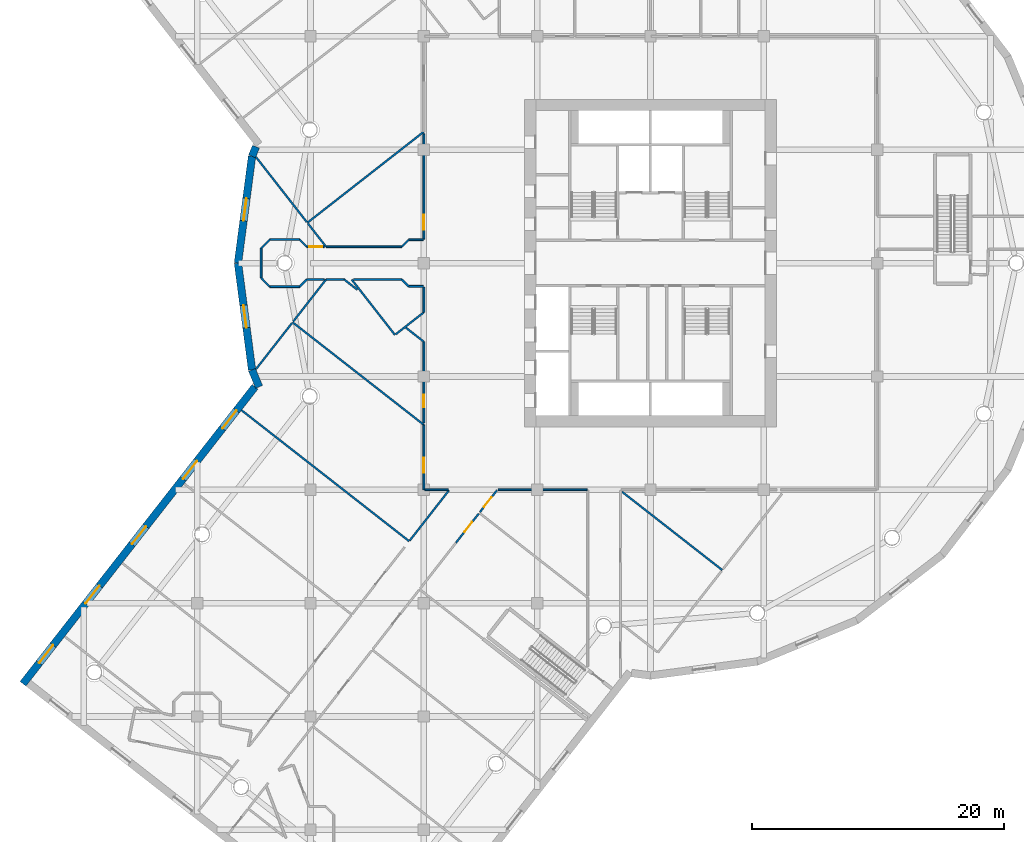
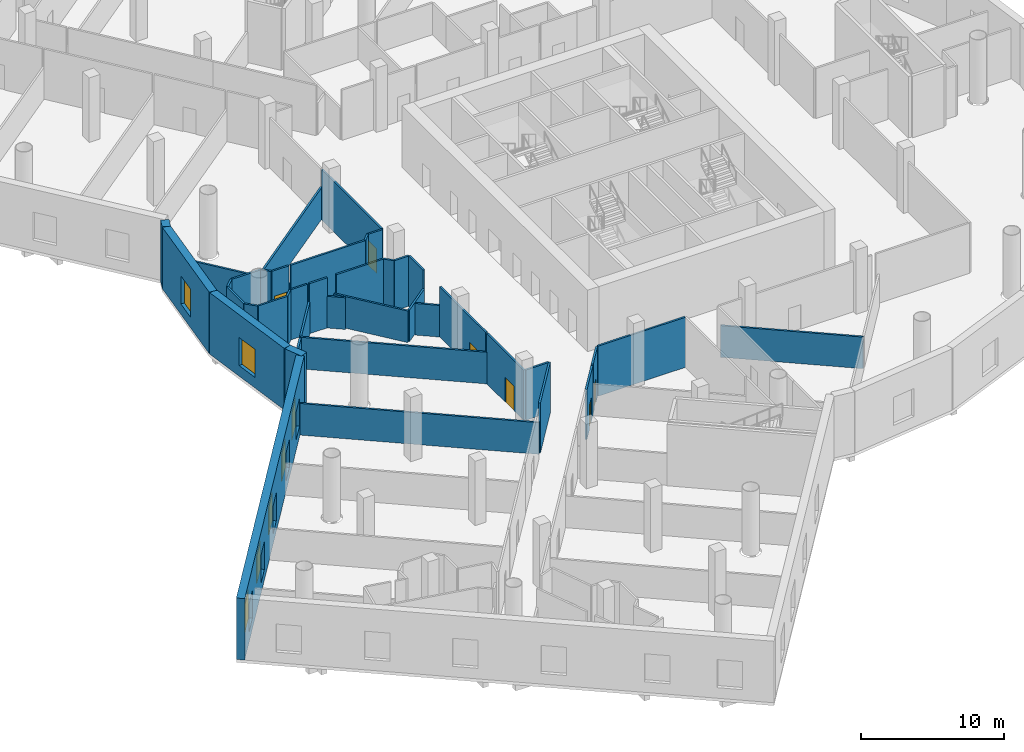
# One storey, part 6 of 23: 42 walls, 7 windows, 6 doors, 13 openings.
"""IFC4 building model written with IfcOpenShell, lengths in metres."""

from ifc_helpers import new_model, si_unit, direction, frame, frame_2d, origin, place, context, subcontext, project, spatial, rectangle, extrude, material, layer, layer_set, type_object, element, fill, save


model = new_model("IFC4")

# Units and contexts
model_context = context("Model", 3, precision=1e-05, world=origin(), true_north=direction((0.0, 1.0)))
body_context = subcontext(model_context, "Body", "Model", "MODEL_VIEW")
ifc_project = project(units=[si_unit("LENGTHUNIT", "METRE"), si_unit("AREAUNIT", "SQUARE_METRE"), si_unit("VOLUMEUNIT", "CUBIC_METRE"), si_unit("PLANEANGLEUNIT", "RADIAN"), si_unit("MASSUNIT", "GRAM", prefix="KILO")], contexts=[model_context])

# Site, building, storey
site_placement = place(None, origin())
site = spatial("IfcSite", under=ifc_project, at=site_placement, CompositionType="ELEMENT")
building_placement = place(site_placement, origin())
building = spatial("IfcBuilding", under=site, at=building_placement, Name="Tarsis Ring Headquarters", CompositionType="ELEMENT")
storey_placement = place(building_placement, frame((0.0, 0.0, 19.5)))
storey = spatial("IfcBuildingStorey", under=building, at=storey_placement, Name="L03", CompositionType="ELEMENT", Elevation=19.5)

# Walls
ifc_material_1 = material(Name="Plasterboard partition")
ifc_layer_1 = layer(ifc_material_1, 0.14990234375)
ifc_layer_set_1 = layer_set([ifc_layer_1], Name="PO-PW150")
wall_type_1 = type_object("IfcWallType", Name="PO-PW150", PredefinedType="PARTITIONING", material=ifc_layer_set_1)
wall_1_placement = place(storey_placement, frame((-32.476806640625, -11.681640625, 0.0), z_axis=(0.0, 0.0, 1.0), x_axis=(0.788007728406, -0.615665347386, 0.0)))
element("IfcWall", 1, at=wall_1_placement, inside=storey, type_object=wall_type_1, Name="L03 partition wall 4", PredefinedType="PARTITIONING", context=body_context, shape_type="SweptSolid", body=[
    extrude(rectangle(XDim=16.900146484375, YDim=0.14990234375, at=frame_2d((8.4501953125, 0.0))), origin(), (0.0, 0.0, 1.0), 2.699951171875),
])
wall_2_placement = place(storey_placement, frame((-18.0, -12.840087890625, 0.0), z_axis=(0.0, 0.0, 1.0), x_axis=(-0.78800897563, 0.615663751025, 0.0)))
element("IfcWall", 2, at=wall_2_placement, inside=storey, type_object=wall_type_1, Name="L03 partition wall 13", PredefinedType="PARTITIONING", context=body_context, shape_type="SweptSolid", body=[
    extrude(rectangle(XDim=13.220947265625, YDim=0.14990234375, at=frame_2d((6.6103515625, 0.0))), origin(), (0.0, 0.0, 1.0), 2.699951171875),
])
wall_3_placement = place(storey_placement, frame((-18.0, 10.428955078125, 0.0), z_axis=(0.0, 0.0, 1.0), x_axis=(-0.788007343587, -0.615665839927, 0.0)))
element("IfcWall", 3, at=wall_3_placement, inside=storey, type_object=wall_type_1, Name="L03 partition wall 15", PredefinedType="PARTITIONING", context=body_context, shape_type="SweptSolid", body=[
    extrude(rectangle(XDim=11.736572265625, YDim=0.14990234375, at=frame_2d((5.8681640625, 0.0))), origin(), (0.0, 0.0, 1.0), 2.699951171875),
])
wall_4_placement = place(storey_placement, frame((-2.253662109375, -18.162841796875, 0.0), z_axis=(0.0, 0.0, 1.0), x_axis=(0.788014106219, -0.615657184153, 0.0)))
element("IfcWall", 4, at=wall_4_placement, inside=storey, type_object=wall_type_1, Name="L03 partition wall 29", PredefinedType="PARTITIONING", context=body_context, shape_type="SweptSolid", body=[
    extrude(rectangle(XDim=10.09375, YDim=0.14990234375, at=frame_2d((5.046875, 0.0))), origin(), (0.0, 0.0, 1.0), 2.699951171875),
])
wall_5_placement = place(storey_placement, frame((-31.335205078125, 8.43408203125, 0.0), z_axis=(0.0, 0.0, 1.0), x_axis=(0.615673661245, -0.788001232771, 0.0)))
element("IfcWall", 5, at=wall_5_placement, inside=storey, type_object=wall_type_1, Name="L03 partition wall 51", PredefinedType="PARTITIONING", context=body_context, shape_type="SweptSolid", body=[
    extrude(rectangle(XDim=6.55810546875, YDim=0.14990234375, at=frame_2d((3.279052734375, 0.0))), origin(), (0.0, 0.0, 1.0), 2.699951171875),
])
wall_6_placement = place(storey_placement, frame((-23.730224609375, -1.300048828125, 0.0), z_axis=(0.0, 0.0, 1.0), x_axis=(0.615661006449, -0.788011119933, 0.0)))
element("IfcWall", 6, at=wall_6_placement, inside=storey, type_object=wall_type_1, Name="L03 partition wall 63", PredefinedType="PARTITIONING", context=body_context, shape_type="SweptSolid", body=[
    extrude(rectangle(XDim=5.58544921875, YDim=0.14990234375, at=frame_2d((2.792724609375, 0.0))), origin(), (0.0, 0.0, 1.0), 2.699951171875),
])
wall_7_placement = place(storey_placement, frame((-28.467529296875, -4.763427734375, 0.0), z_axis=(0.0, 0.0, 1.0), x_axis=(-0.615640990645, -0.788026757564, 0.0)))
element("IfcWall", 7, at=wall_7_placement, inside=storey, type_object=wall_type_1, Name="L03 partition wall 73", PredefinedType="PARTITIONING", context=body_context, shape_type="SweptSolid", body=[
    extrude(rectangle(XDim=4.657958984375, YDim=0.14990234375, at=frame_2d((2.3291015625, 0.0))), origin(), (0.0, 0.0, 1.0), 2.699951171875),
])
wall_8_placement = place(storey_placement, frame((-25.761474609375, -1.300048828125, 0.0), z_axis=(0.0, 0.0, 1.0), x_axis=(-0.615655228447, -0.788015634164, 0.0)))
element("IfcWall", 8, at=wall_8_placement, inside=storey, type_object=wall_type_1, Name="L03 partition wall 82", PredefinedType="PARTITIONING", context=body_context, shape_type="SweptSolid", body=[
    extrude(rectangle(XDim=4.235107421875, YDim=0.14990234375, at=frame_2d((2.11767578125, 0.0))), origin(), (0.0, 0.0, 1.0), 2.699951171875),
])
wall_9_placement = place(storey_placement, frame((-20.228515625, -5.652099609375, 0.0), z_axis=(0.0, 0.0, 1.0), x_axis=(0.787992962022, 0.615684246838, 0.0)))
element("IfcWall", 9, at=wall_9_placement, inside=storey, type_object=wall_type_1, Name="L03 partition wall 99", PredefinedType="PARTITIONING", context=body_context, shape_type="SweptSolid", body=[
    extrude(rectangle(XDim=2.828125, YDim=0.14990234375, at=frame_2d((1.4140625, 0.0))), origin(), (0.0, 0.0, 1.0), 2.699951171875),
])
wall_10_placement = place(storey_placement, frame((-27.19921875, 3.14013671875, 0.0), z_axis=(0.0, 0.0, 1.0), x_axis=(0.615690704489, -0.787987916409, 0.0)))
element("IfcWall", 10, at=wall_10_placement, inside=storey, type_object=wall_type_1, Name="L03 partition wall 115", PredefinedType="PARTITIONING", context=body_context, shape_type="SweptSolid", body=[
    extrude(rectangle(XDim=2.335205078125, YDim=0.14990234375, at=frame_2d((1.16748046875, 0.0))), origin(), (0.0, 0.0, 1.0), 2.699951171875),
])
wall_11_placement = place(storey_placement, frame((-23.278564453125, -2.1171875, 0.0), z_axis=(0.0, 0.0, 1.0), x_axis=(-0.788013218754, 0.615658320068, 0.0)))
element("IfcWall", 11, at=wall_11_placement, inside=storey, type_object=wall_type_1, Name="L03 partition wall 134", PredefinedType="PARTITIONING", context=body_context, shape_type="SweptSolid", body=[
    extrude(rectangle(XDim=1.3271484375, YDim=0.14990234375, at=frame_2d((0.66357421875, 0.0))), origin(), (0.0, 0.0, 1.0), 2.699951171875),
])
wall_12_placement = place(storey_placement, frame((-18.0, -6.2412109375, 0.0), z_axis=(0.0, 0.0, 1.0), x_axis=(-0.788014037182, 0.615657272517, 0.0)))
element("IfcWall", 12, at=wall_12_placement, inside=storey, type_object=wall_type_1, Name="L03 partition wall 135", PredefinedType="PARTITIONING", context=body_context, shape_type="SweptSolid", body=[
    extrude(rectangle(XDim=1.79052734375, YDim=0.14990234375, at=frame_2d((0.895263671875, 0.0))), origin(), (0.0, 0.0, 1.0), 2.699951171875),
])

# Wall, opening, door
ifc_layer_2 = layer(ifc_material_1, 0.14990234375)
ifc_layer_set_2 = layer_set([ifc_layer_2], Name="PO-PW150R-4283")
wall_type_2 = type_object("IfcWallType", Name="PO-PW150R-4283", PredefinedType="PARTITIONING", material=ifc_layer_set_2)
wall_13_placement = place(storey_placement, frame((-18.0, 1.909912109375, 0.0), z_axis=(0.0, 0.0, 1.0), x_axis=(0.0, 1.0, 0.0)))
wall_13 = element("IfcWall", 13, at=wall_13_placement, inside=storey, type_object=wall_type_2, Name="L03 partition wall 35", PredefinedType="PARTITIONING", context=body_context, shape_type="SweptSolid", body=[
    extrude(rectangle(XDim=8.35888671875, YDim=0.14990234375, at=frame_2d((4.179443359375, 0.0))), origin(), (0.0, 0.0, 1.0), 4.282958984375),
])
opening_1_placement = place(wall_13_placement, frame((0.7275390625, 0.0, 0.0)))
opening_1 = element("IfcOpeningElement", 14, at=opening_1_placement, cuts=wall_13, Name="Opening PO-D2", PredefinedType="OPENING", context=body_context, shape_type="SweptSolid", body=[
    extrude(rectangle(XDim=1.199951171875, YDim=2.10009765625, at=frame_2d((0.60009765625, 1.050048828125))), frame((0.0, 0.0849609375, 0.0), z_axis=(0.0, -1.0, 0.0), x_axis=(1.0, 0.0, 0.0)), (0.0, 0.0, 1.0), 0.169921875),
])
ifc_material_2 = material(Name="Timber door", Category="wood")
door_type_1 = type_object("IfcDoorType", Name="PO-D1200", OperationType="NOTDEFINED", PredefinedType="DOOR", material=ifc_material_2)
door_1_placement = place(opening_1_placement, origin())
door_1 = element("IfcDoor", 15, at=door_1_placement, inside=storey, type_object=door_type_1, Name="Heritage gallery door", OperationType="SINGLE_SWING_RIGHT", OverallHeight=2.10009765625, OverallWidth=1.199951171875, PredefinedType="DOOR", context=body_context, shape_type="SweptSolid", body=[
    extrude(rectangle(XDim=1.199951171875, YDim=2.10009765625, at=frame_2d((0.60009765625, 1.050048828125))), frame((0.0, 0.02490234375, 0.0), z_axis=(0.0, -1.0, 0.0), x_axis=(1.0, 0.0, 0.0)), (0.0, 0.0, 1.0), 0.050048828125),
])
fill(opening_1, door_1)

# Wall
wall_14_placement = place(storey_placement, frame((-5.039794921875, -18.0, 0.0), z_axis=(0.0, 0.0, 1.0), x_axis=(-1.0, 0.0, 0.0)))
element("IfcWall", 16, at=wall_14_placement, inside=storey, type_object=wall_type_2, Name="L03 partition wall 48", PredefinedType="PARTITIONING", context=body_context, shape_type="SweptSolid", body=[
    extrude(rectangle(XDim=7.059814453125, YDim=0.14990234375, at=frame_2d((3.52978515625, 0.0))), origin(), (0.0, 0.0, 1.0), 4.282958984375),
])

# Wall, opening, door
wall_15_placement = place(storey_placement, frame((-18.0, -12.679931640625, 0.0), z_axis=(0.0, 0.0, 1.0), x_axis=(0.0, 1.0, 0.0)))
wall_15 = element("IfcWall", 17, at=wall_15_placement, inside=storey, type_object=wall_type_2, Name="L03 partition wall 52", PredefinedType="PARTITIONING", context=body_context, shape_type="SweptSolid", body=[
    extrude(rectangle(XDim=6.438720703125, YDim=0.14990234375, at=frame_2d((3.21923828125, 0.0))), origin(), (0.0, 0.0, 1.0), 4.282958984375),
])
opening_2_placement = place(wall_15_placement, frame((1.238525390625, 0.0, 0.0)))
opening_2 = element("IfcOpeningElement", 18, at=opening_2_placement, cuts=wall_15, Name="Opening PO-D1", PredefinedType="OPENING", context=body_context, shape_type="SweptSolid", body=[
    extrude(rectangle(XDim=1.0, YDim=2.10009765625, at=frame_2d((0.5, 1.050048828125))), frame((0.0, 0.0849609375, 0.0), z_axis=(0.0, -1.0, 0.0), x_axis=(1.0, 0.0, 0.0)), (0.0, 0.0, 1.0), 0.169921875),
])
door_type_2 = type_object("IfcDoorType", Name="PO-D1000", OperationType="NOTDEFINED", PredefinedType="DOOR", material=ifc_material_2)
door_2_placement = place(opening_2_placement, origin())
door_2 = element("IfcDoor", 19, at=door_2_placement, inside=storey, type_object=door_type_2, Name="Pharmacy store door", OperationType="SINGLE_SWING_RIGHT", OverallHeight=2.10009765625, OverallWidth=1.0, PredefinedType="DOOR", context=body_context, shape_type="SweptSolid", body=[
    extrude(rectangle(XDim=1.0, YDim=2.10009765625, at=frame_2d((0.5, 1.050048828125))), frame((0.0, 0.02490234375, 0.0), z_axis=(0.0, -1.0, 0.0), x_axis=(1.0, 0.0, 0.0)), (0.0, 0.0, 1.0), 0.050048828125),
])
fill(opening_2, door_2)

# Wall
wall_16_placement = place(storey_placement, frame((-25.761474609375, 1.300048828125, 0.0), z_axis=(0.0, 0.0, 1.0), x_axis=(1.0, 0.0, 0.0)))
element("IfcWall", 20, at=wall_16_placement, inside=storey, type_object=wall_type_2, Name="L03 partition wall 57", PredefinedType="PARTITIONING", context=body_context, shape_type="SweptSolid", body=[
    extrude(rectangle(XDim=6.011474609375, YDim=0.14990234375, at=frame_2d((3.005859375, 0.0))), origin(), (0.0, 0.0, 1.0), 4.282958984375),
])

# Wall, opening, door
wall_17_placement = place(storey_placement, frame((-18.0, -18.0, 0.0), z_axis=(0.0, 0.0, 1.0), x_axis=(0.0, 1.0, 0.0)))
wall_17 = element("IfcWall", 21, at=wall_17_placement, inside=storey, type_object=wall_type_2, Name="L03 partition wall 69", PredefinedType="PARTITIONING", context=body_context, shape_type="SweptSolid", body=[
    extrude(rectangle(XDim=5.159912109375, YDim=0.14990234375, at=frame_2d((2.580078125, 0.0))), origin(), (0.0, 0.0, 1.0), 4.282958984375),
])
opening_3_placement = place(wall_17_placement, frame((1.350830078125, 0.0, 0.0)))
opening_3 = element("IfcOpeningElement", 22, at=opening_3_placement, cuts=wall_17, Name="Opening PO-D2", PredefinedType="OPENING", context=body_context, shape_type="SweptSolid", body=[
    extrude(rectangle(XDim=1.199951171875, YDim=2.10009765625, at=frame_2d((0.60009765625, 1.050048828125))), frame((0.0, 0.0849609375, 0.0), z_axis=(0.0, -1.0, 0.0), x_axis=(1.0, 0.0, 0.0)), (0.0, 0.0, 1.0), 0.169921875),
])
door_3_placement = place(opening_3_placement, origin())
door_3 = element("IfcDoor", 23, at=door_3_placement, inside=storey, type_object=door_type_1, Name="Staff clinic door", OperationType="SINGLE_SWING_LEFT", OverallHeight=2.10009765625, OverallWidth=1.199951171875, PredefinedType="DOOR", context=body_context, shape_type="SweptSolid", body=[
    extrude(rectangle(XDim=1.199951171875, YDim=2.10009765625, at=frame_2d((0.60009765625, 1.050048828125))), frame((0.0, 0.02490234375, 0.0), z_axis=(0.0, -1.0, 0.0), x_axis=(1.0, 0.0, 0.0)), (0.0, 0.0, 1.0), 0.050048828125),
])
fill(opening_3, door_3)

# Walls
wall_18_placement = place(storey_placement, frame((-19.110107421875, -22.0234375, 0.0), z_axis=(0.0, 0.0, 1.0), x_axis=(0.615677781266, 0.787998013738, 0.0)))
element("IfcWall", 24, at=wall_18_placement, inside=storey, type_object=wall_type_2, Name="L03 partition wall 70", PredefinedType="PARTITIONING", context=body_context, shape_type="SweptSolid", body=[
    extrude(rectangle(XDim=5.05517578125, YDim=0.14990234375, at=frame_2d((2.527587890625, 0.0))), origin(), (0.0, 0.0, 1.0), 4.282958984375),
])
wall_19_placement = place(storey_placement, frame((-19.75, -1.300048828125, 0.0), z_axis=(0.0, 0.0, 1.0), x_axis=(-1.0, 0.0, 0.0)))
element("IfcWall", 25, at=wall_19_placement, inside=storey, type_object=wall_type_2, Name="L03 partition wall 89", PredefinedType="PARTITIONING", context=body_context, shape_type="SweptSolid", body=[
    extrude(rectangle(XDim=3.820068359375, YDim=0.14990234375, at=frame_2d((1.91015625, 0.0))), origin(), (0.0, 0.0, 1.0), 4.282958984375),
])

# Wall, opening, door
wall_20_placement = place(storey_placement, frame((-13.64306640625, -19.898681640625, 0.0), z_axis=(0.0, 0.0, 1.0), x_axis=(-0.615642423579, -0.788025638092, 0.0)))
wall_20 = element("IfcWall", 26, at=wall_20_placement, inside=storey, type_object=wall_type_2, Name="L03 partition wall 95", PredefinedType="PARTITIONING", context=body_context, shape_type="SweptSolid", body=[
    extrude(rectangle(XDim=2.927490234375, YDim=0.14990234375, at=frame_2d((1.4638671875, 0.0))), origin(), (0.0, 0.0, 1.0), 4.282958984375),
])
opening_4_placement = place(wall_20_placement, frame((0.840087890625, 0.0, 0.0)))
opening_4 = element("IfcOpeningElement", 27, at=opening_4_placement, cuts=wall_20, Name="Opening PO-D1", PredefinedType="OPENING", context=body_context, shape_type="SweptSolid", body=[
    extrude(rectangle(XDim=1.0, YDim=2.10009765625, at=frame_2d((0.5, 1.050048828125))), frame((0.0, 0.0849609375, 0.0), z_axis=(0.0, -1.0, 0.0), x_axis=(1.0, 0.0, 0.0)), (0.0, 0.0, 1.0), 0.169921875),
])
door_4_placement = place(opening_4_placement, origin())
door_4 = element("IfcDoor", 28, at=door_4_placement, inside=storey, type_object=door_type_2, Name="Physiotherapy room door", OperationType="SINGLE_SWING_LEFT", OverallHeight=2.10009765625, OverallWidth=1.0, PredefinedType="DOOR", context=body_context, shape_type="SweptSolid", body=[
    extrude(rectangle(XDim=1.0, YDim=2.10009765625, at=frame_2d((0.5, 1.050048828125))), frame((0.0, 0.02490234375, 0.0), z_axis=(0.0, -1.0, 0.0), x_axis=(1.0, 0.0, 0.0)), (0.0, 0.0, 1.0), 0.050048828125),
])
fill(opening_4, door_4)

# Walls
for number, where, z_axis, x_axis, name in (
    (29, (-27.868408203125, -1.8701171875, 0.0), (0.0, 0.0, 1.0), (-1.0, 0.0, 0.0), "L03 partition wall 120"),
    (30, (-30.228515625, 1.8701171875, 0.0), (0.0, 0.0, 1.0), (1.0, 0.0, 0.0), "L03 partition wall 121"),
):
    element("IfcWall", number, at=place(storey_placement, frame(where, z_axis=z_axis, x_axis=x_axis)), inside=storey, type_object=wall_type_2, Name=name, PredefinedType="PARTITIONING", context=body_context, shape_type="SweptSolid", body=[
        extrude(rectangle(XDim=2.360107421875, YDim=0.14990234375, at=frame_2d((1.18017578125, 0.0))), origin(), (0.0, 0.0, 1.0), 4.282958984375),
    ])
wall_21_placement = place(storey_placement, frame((-30.91845703125, -1.179931640625, 0.0), z_axis=(0.0, 0.0, 1.0), x_axis=(0.0, 1.0, 0.0)))
element("IfcWall", 31, at=wall_21_placement, inside=storey, type_object=wall_type_2, Name="L03 partition wall 122", PredefinedType="PARTITIONING", context=body_context, shape_type="SweptSolid", body=[
    extrude(rectangle(XDim=2.35986328125, YDim=0.14990234375, at=frame_2d((1.179931640625, 0.0))), origin(), (0.0, 0.0, 1.0), 4.282958984375),
])

# Wall, opening, door
wall_22_placement = place(storey_placement, frame((-12.19091796875, -18.0400390625, 0.0), z_axis=(0.0, 0.0, 1.0), x_axis=(-0.615676361466, -0.787999123053, 0.0)))
wall_22 = element("IfcWall", 32, at=wall_22_placement, inside=storey, type_object=wall_type_2, Name="L03 partition wall 124", PredefinedType="PARTITIONING", context=body_context, shape_type="SweptSolid", body=[
    extrude(rectangle(XDim=2.19873046875, YDim=0.14990234375, at=frame_2d((1.099365234375, 0.0))), origin(), (0.0, 0.0, 1.0), 4.282958984375),
])
opening_5_placement = place(wall_22_placement, frame((0.69921875, 0.0, 0.0)))
opening_5 = element("IfcOpeningElement", 33, at=opening_5_placement, cuts=wall_22, Name="Opening PO-D1", PredefinedType="OPENING", context=body_context, shape_type="SweptSolid", body=[
    extrude(rectangle(XDim=1.0, YDim=2.10009765625, at=frame_2d((0.5, 1.050048828125))), frame((0.0, 0.0849609375, 0.0), z_axis=(0.0, -1.0, 0.0), x_axis=(1.0, 0.0, 0.0)), (0.0, 0.0, 1.0), 0.169921875),
])
door_5_placement = place(opening_5_placement, origin())
door_5 = element("IfcDoor", 34, at=door_5_placement, inside=storey, type_object=door_type_2, Name="Consulting room door", OperationType="SINGLE_SWING_LEFT", OverallHeight=2.10009765625, OverallWidth=1.0, PredefinedType="DOOR", context=body_context, shape_type="SweptSolid", body=[
    extrude(rectangle(XDim=1.0, YDim=2.10009765625, at=frame_2d((0.5, 1.050048828125))), frame((0.0, 0.02490234375, 0.0), z_axis=(0.0, -1.0, 0.0), x_axis=(1.0, 0.0, 0.0)), (0.0, 0.0, 1.0), 0.050048828125),
])
fill(opening_5, door_5)

# Walls
wall_23_placement = place(storey_placement, frame((-18.0, -3.910888671875, 0.0), z_axis=(0.0, 0.0, 1.0), x_axis=(0.0, 1.0, 0.0)))
element("IfcWall", 35, at=wall_23_placement, inside=storey, type_object=wall_type_2, Name="L03 partition wall 129", PredefinedType="PARTITIONING", context=body_context, shape_type="SweptSolid", body=[
    extrude(rectangle(XDim=2.0009765625, YDim=0.14990234375, at=frame_2d((1.00048828125, 0.0))), origin(), (0.0, 0.0, 1.0), 4.282958984375),
])
wall_24_placement = place(storey_placement, frame((-16.042724609375, -18.0, 0.0), z_axis=(0.0, 0.0, 1.0), x_axis=(-1.0, 0.0, 0.0)))
element("IfcWall", 36, at=wall_24_placement, inside=storey, type_object=wall_type_2, Name="L03 partition wall 133", PredefinedType="PARTITIONING", context=body_context, shape_type="SweptSolid", body=[
    extrude(rectangle(XDim=1.877197265625, YDim=0.14990234375, at=frame_2d((0.9384765625, 0.0))), origin(), (0.0, 0.0, 1.0), 4.282958984375),
])
wall_25_placement = place(storey_placement, frame((-25.9228515625, -1.300048828125, 0.0), z_axis=(0.0, 0.0, 1.0), x_axis=(-1.0, 0.0, 0.0)))
element("IfcWall", 37, at=wall_25_placement, inside=storey, type_object=wall_type_2, Name="L03 partition wall 142", PredefinedType="PARTITIONING", context=body_context, shape_type="SweptSolid", body=[
    extrude(rectangle(XDim=1.375732421875, YDim=0.14990234375, at=frame_2d((0.68798828125, 0.0))), origin(), (0.0, 0.0, 1.0), 4.282958984375),
])

# Wall, opening, door
wall_26_placement = place(storey_placement, frame((-27.298583984375, 1.300048828125, 0.0), z_axis=(0.0, 0.0, 1.0), x_axis=(1.0, 0.0, 0.0)))
wall_26 = element("IfcWall", 38, at=wall_26_placement, inside=storey, type_object=wall_type_2, Name="L03 partition wall 143", PredefinedType="PARTITIONING", context=body_context, shape_type="SweptSolid", body=[
    extrude(rectangle(XDim=1.375732421875, YDim=0.14990234375, at=frame_2d((0.68798828125, 0.0))), origin(), (0.0, 0.0, 1.0), 4.282958984375),
])
opening_6_placement = place(wall_26_placement, frame((0.218994140625, 0.0, 0.0)))
opening_6 = element("IfcOpeningElement", 39, at=opening_6_placement, cuts=wall_26, Name="Opening PO-D1", PredefinedType="OPENING", context=body_context, shape_type="SweptSolid", body=[
    extrude(rectangle(XDim=1.0, YDim=2.10009765625, at=frame_2d((0.5, 1.050048828125))), frame((0.0, 0.0849609375, 0.0), z_axis=(0.0, -1.0, 0.0), x_axis=(1.0, 0.0, 0.0)), (0.0, 0.0, 1.0), 0.169921875),
])
door_6_placement = place(opening_6_placement, origin())
door_6 = element("IfcDoor", 40, at=door_6_placement, inside=storey, type_object=door_type_2, Name="Project room door", OperationType="SINGLE_SWING_RIGHT", OverallHeight=2.10009765625, OverallWidth=1.0, PredefinedType="DOOR", context=body_context, shape_type="SweptSolid", body=[
    extrude(rectangle(XDim=1.0, YDim=2.10009765625, at=frame_2d((0.5, 1.050048828125))), frame((0.0, 0.02490234375, 0.0), z_axis=(0.0, -1.0, 0.0), x_axis=(1.0, 0.0, 0.0)), (0.0, 0.0, 1.0), 0.050048828125),
])
fill(opening_6, door_6)

# Walls
wall_27_placement = place(storey_placement, frame((-24.324462890625, -1.300048828125, 0.0), z_axis=(0.0, 0.0, 1.0), x_axis=(-1.0, 0.0, 0.0)))
element("IfcWall", 41, at=wall_27_placement, inside=storey, type_object=wall_type_2, Name="L03 partition wall 145", PredefinedType="PARTITIONING", context=body_context, shape_type="SweptSolid", body=[
    extrude(rectangle(XDim=1.43701171875, YDim=0.14990234375, at=frame_2d((0.718505859375, 0.0))), origin(), (0.0, 0.0, 1.0), 4.282958984375),
])
for number, where, z_axis, x_axis, name in (
    (42, (-19.199951171875, 1.85009765625, 0.0), (0.0, 0.0, 1.0), (1.0, 0.0, 0.0), "L03 partition wall 152"),
    (43, (-18.0400390625, -1.85009765625, 0.0), (0.0, 0.0, 1.0), (-1.0, 0.0, 0.0), "L03 partition wall 153"),
):
    element("IfcWall", number, at=place(storey_placement, frame(where, z_axis=z_axis, x_axis=x_axis)), inside=storey, type_object=wall_type_2, Name=name, PredefinedType="PARTITIONING", context=body_context, shape_type="SweptSolid", body=[
        extrude(rectangle(XDim=1.159912109375, YDim=0.14990234375, at=frame_2d((0.580078125, 0.0))), origin(), (0.0, 0.0, 1.0), 4.282958984375),
    ])
for number, where, z_axis, x_axis, name in (
    (44, (-30.228515625, -1.8701171875, 0.0), (0.0, 0.0, 1.0), (-0.706981684899, 0.707231855347, 0.0), "L03 partition wall 158"),
    (45, (-30.91845703125, 1.179931640625, 0.0), (0.0, 0.0, 1.0), (0.706981684899, 0.707231855347, 0.0), "L03 partition wall 159"),
):
    element("IfcWall", number, at=place(storey_placement, frame(where, z_axis=z_axis, x_axis=x_axis)), inside=storey, type_object=wall_type_2, Name=name, PredefinedType="PARTITIONING", context=body_context, shape_type="SweptSolid", body=[
        extrude(rectangle(XDim=0.975830078125, YDim=0.14990234375, at=frame_2d((0.48779296875, 0.0))), origin(), (0.0, 0.0, 1.0), 4.282958984375),
    ])
for number, where, z_axis, x_axis, name in (
    (46, (-27.868408203125, 1.8701171875, 0.0), (0.0, 0.0, 1.0), (0.706955317814, -0.707258212123, 0.0), "L03 partition wall 168"),
    (47, (-27.298583984375, -1.300048828125, 0.0), (0.0, 0.0, 1.0), (-0.706955317814, -0.707258212123, 0.0), "L03 partition wall 169"),
):
    element("IfcWall", number, at=place(storey_placement, frame(where, z_axis=z_axis, x_axis=x_axis)), inside=storey, type_object=wall_type_2, Name=name, PredefinedType="PARTITIONING", context=body_context, shape_type="SweptSolid", body=[
        extrude(rectangle(XDim=0.805908203125, YDim=0.14990234375, at=frame_2d((0.40283203125, 0.0))), origin(), (0.0, 0.0, 1.0), 4.282958984375),
    ])
for number, where, z_axis, x_axis, name in (
    (48, (-19.75, 1.300048828125, 0.0), (0.0, 0.0, 1.0), (0.707106781187, 0.707106781187, 0.0), "L03 partition wall 170"),
    (49, (-19.199951171875, -1.85009765625, 0.0), (0.0, 0.0, 1.0), (-0.707106781187, 0.707106781187, 0.0), "L03 partition wall 171"),
):
    element("IfcWall", number, at=place(storey_placement, frame(where, z_axis=z_axis, x_axis=x_axis)), inside=storey, type_object=wall_type_2, Name=name, PredefinedType="PARTITIONING", context=body_context, shape_type="SweptSolid", body=[
        extrude(rectangle(XDim=0.77783203125, YDim=0.14990234375, at=frame_2d((0.388916015625, 0.0))), origin(), (0.0, 0.0, 1.0), 4.282958984375),
    ])
ifc_material_3 = material(Name="Concrete C60/75", Category="concrete")
ifc_layer_3 = layer(ifc_material_3, 0.60009765625)
ifc_layer_set_3 = layer_set([ifc_layer_3], Name="PO-W600")
wall_type_3 = type_object("IfcWallType", Name="PO-W600", PredefinedType="SOLIDWALL", material=ifc_layer_set_3)
wall_28_placement = place(storey_placement, frame((-31.325927734375, 9.24072265625, 0.0), z_axis=(0.0, 0.0, 1.0), x_axis=(-0.382534701942, -0.923941124645, 0.0)))
element("IfcWall", 50, at=wall_28_placement, inside=storey, type_object=wall_type_3, Name="L03 external wall 2", PredefinedType="SOLIDWALL", context=body_context, shape_type="SweptSolid", body=[
    extrude(rectangle(XDim=0.8251953125, YDim=0.60009765625, at=frame_2d((0.41259765625, 0.0))), origin(), (0.0, 0.0, 1.0), 5.25),
])

# Wall, opening, window
wall_29_placement = place(storey_placement, frame((-31.6416015625, 8.478271484375, 0.0), z_axis=(0.0, 0.0, 1.0), x_axis=(-0.130529102837, -0.991444478179, 0.0)))
wall_29 = element("IfcWall", 51, at=wall_29_placement, inside=storey, type_object=wall_type_3, Name="L03 external wall 3", PredefinedType="SOLIDWALL", context=body_context, shape_type="SweptSolid", body=[
    extrude(rectangle(XDim=8.551513671875, YDim=0.60009765625, at=frame_2d((4.27587890625, 0.0))), origin(), (0.0, 0.0, 1.0), 5.25),
])
opening_7_placement = place(wall_29_placement, frame((3.375732421875, 0.0, 0.89990234375)))
opening_7 = element("IfcOpeningElement", 52, at=opening_7_placement, cuts=wall_29, Name="Opening PO-WN1", PredefinedType="OPENING", context=body_context, shape_type="SweptSolid", body=[
    extrude(rectangle(XDim=1.800048828125, YDim=2.39990234375, at=frame_2d((0.89990234375, 1.199951171875))), frame((0.0, 0.31005859375, 0.0), z_axis=(0.0, -1.0, 0.0), x_axis=(1.0, 0.0, 0.0)), (0.0, 0.0, 1.0), 0.6201171875),
])
ifc_material_4 = material(Name="Double glazing", Category="glass")
window_type = type_object("IfcWindowType", Name="PO-WN1800", PartitioningType="SINGLE_PANEL", PredefinedType="WINDOW", material=ifc_material_4)
window_1_placement = place(opening_7_placement, origin())
window_1 = element("IfcWindow", 53, at=window_1_placement, inside=storey, type_object=window_type, Name="L03 window 3.1", OverallHeight=2.39990234375, OverallWidth=1.800048828125, PartitioningType="SINGLE_PANEL", PredefinedType="WINDOW", context=body_context, shape_type="SweptSolid", body=[
    extrude(rectangle(XDim=1.800048828125, YDim=2.39990234375, at=frame_2d((0.89990234375, 1.199951171875))), frame((0.0, 0.030029296875, 0.0), z_axis=(0.0, -1.0, 0.0), x_axis=(1.0, 0.0, 0.0)), (0.0, 0.0, 1.0), 0.06005859375),
])
fill(opening_7, window_1)

wall_30_placement = place(storey_placement, frame((-32.7578125, 0.0, 0.0), z_axis=(0.0, 0.0, 1.0), x_axis=(0.130529102837, -0.991444478179, 0.0)))
wall_30 = element("IfcWall", 54, at=wall_30_placement, inside=storey, type_object=wall_type_3, Name="L03 external wall 4", PredefinedType="SOLIDWALL", context=body_context, shape_type="SweptSolid", body=[
    extrude(rectangle(XDim=8.551513671875, YDim=0.60009765625, at=frame_2d((4.27587890625, 0.0))), origin(), (0.0, 0.0, 1.0), 5.25),
])
opening_8_placement = place(wall_30_placement, frame((3.375732421875, 0.0, 0.89990234375)))
opening_8 = element("IfcOpeningElement", 55, at=opening_8_placement, cuts=wall_30, Name="Opening PO-WN1", PredefinedType="OPENING", context=body_context, shape_type="SweptSolid", body=[
    extrude(rectangle(XDim=1.800048828125, YDim=2.39990234375, at=frame_2d((0.89990234375, 1.199951171875))), frame((0.0, 0.31005859375, 0.0), z_axis=(0.0, -1.0, 0.0), x_axis=(1.0, 0.0, 0.0)), (0.0, 0.0, 1.0), 0.6201171875),
])
window_2_placement = place(opening_8_placement, origin())
window_2 = element("IfcWindow", 56, at=window_2_placement, inside=storey, type_object=window_type, Name="L03 window 4.1", OverallHeight=2.39990234375, OverallWidth=1.800048828125, PartitioningType="SINGLE_PANEL", PredefinedType="WINDOW", context=body_context, shape_type="SweptSolid", body=[
    extrude(rectangle(XDim=1.800048828125, YDim=2.39990234375, at=frame_2d((0.89990234375, 1.199951171875))), frame((0.0, 0.030029296875, 0.0), z_axis=(0.0, -1.0, 0.0), x_axis=(1.0, 0.0, 0.0)), (0.0, 0.0, 1.0), 0.06005859375),
])
fill(opening_8, window_2)

# Wall
wall_31_placement = place(storey_placement, frame((-31.6416015625, -8.478271484375, 0.0), z_axis=(0.0, 0.0, 1.0), x_axis=(0.382709854909, -0.923868587493, 0.0)))
element("IfcWall", 57, at=wall_31_placement, inside=storey, type_object=wall_type_3, Name="L03 external wall 5", PredefinedType="SOLIDWALL", context=body_context, shape_type="SweptSolid", body=[
    extrude(rectangle(XDim=1.46533203125, YDim=0.60009765625, at=frame_2d((0.732666015625, 0.0))), origin(), (0.0, 0.0, 1.0), 5.25),
])

# Wall, openings, windows
wall_32_placement = place(storey_placement, frame((-31.405029296875, -9.82275390625, 0.0), z_axis=(0.0, 0.0, 1.0), x_axis=(-0.615662407014, -0.788010025691, 0.0)))
wall_32 = element("IfcWall", 58, at=wall_32_placement, inside=storey, type_object=wall_type_3, Name="L03 external wall 6", PredefinedType="SOLIDWALL", context=body_context, shape_type="SweptSolid", body=[
    extrude(rectangle(XDim=29.9248046875, YDim=0.60009765625, at=frame_2d((14.96240234375, 0.0))), origin(), (0.0, 0.0, 1.0), 5.25),
])
opening_9_placement = place(wall_32_placement, frame((2.392578125, 0.0, 0.89990234375)))
opening_9 = element("IfcOpeningElement", 59, at=opening_9_placement, cuts=wall_32, Name="Opening PO-WN1", PredefinedType="OPENING", context=body_context, shape_type="SweptSolid", body=[
    extrude(rectangle(XDim=1.800048828125, YDim=2.39990234375, at=frame_2d((0.89990234375, 1.199951171875))), frame((0.0, 0.31005859375, 0.0), z_axis=(0.0, -1.0, 0.0), x_axis=(1.0, 0.0, 0.0)), (0.0, 0.0, 1.0), 0.6201171875),
])
opening_10_placement = place(wall_32_placement, frame((7.477294921875, 0.0, 0.89990234375)))
opening_10 = element("IfcOpeningElement", 60, at=opening_10_placement, cuts=wall_32, Name="Opening PO-WN1", PredefinedType="OPENING", context=body_context, shape_type="SweptSolid", body=[
    extrude(rectangle(XDim=1.800048828125, YDim=2.39990234375, at=frame_2d((0.89990234375, 1.199951171875))), frame((0.0, 0.31005859375, 0.0), z_axis=(0.0, -1.0, 0.0), x_axis=(1.0, 0.0, 0.0)), (0.0, 0.0, 1.0), 0.6201171875),
])
opening_11_placement = place(wall_32_placement, frame((14.062255859375, 0.0, 0.89990234375)))
opening_11 = element("IfcOpeningElement", 61, at=opening_11_placement, cuts=wall_32, Name="Opening PO-WN1", PredefinedType="OPENING", context=body_context, shape_type="SweptSolid", body=[
    extrude(rectangle(XDim=1.800048828125, YDim=2.39990234375, at=frame_2d((0.89990234375, 1.199951171875))), frame((0.0, 0.31005859375, 0.0), z_axis=(0.0, -1.0, 0.0), x_axis=(1.0, 0.0, 0.0)), (0.0, 0.0, 1.0), 0.6201171875),
])
opening_12_placement = place(wall_32_placement, frame((20.04736328125, 0.0, 0.89990234375)))
opening_12 = element("IfcOpeningElement", 62, at=opening_12_placement, cuts=wall_32, Name="Opening PO-WN1", PredefinedType="OPENING", context=body_context, shape_type="SweptSolid", body=[
    extrude(rectangle(XDim=1.800048828125, YDim=2.39990234375, at=frame_2d((0.89990234375, 1.199951171875))), frame((0.0, 0.31005859375, 0.0), z_axis=(0.0, -1.0, 0.0), x_axis=(1.0, 0.0, 0.0)), (0.0, 0.0, 1.0), 0.6201171875),
])
opening_13_placement = place(wall_32_placement, frame((26.0322265625, 0.0, 0.89990234375)))
opening_13 = element("IfcOpeningElement", 63, at=opening_13_placement, cuts=wall_32, Name="Opening PO-WN1", PredefinedType="OPENING", context=body_context, shape_type="SweptSolid", body=[
    extrude(rectangle(XDim=1.800048828125, YDim=2.39990234375, at=frame_2d((0.89990234375, 1.199951171875))), frame((0.0, 0.31005859375, 0.0), z_axis=(0.0, -1.0, 0.0), x_axis=(1.0, 0.0, 0.0)), (0.0, 0.0, 1.0), 0.6201171875),
])
window_3_placement = place(opening_9_placement, origin())
window_3 = element("IfcWindow", 64, at=window_3_placement, inside=storey, type_object=window_type, Name="L03 window 6.1", OverallHeight=2.39990234375, OverallWidth=1.800048828125, PartitioningType="SINGLE_PANEL", PredefinedType="WINDOW", context=body_context, shape_type="SweptSolid", body=[
    extrude(rectangle(XDim=1.800048828125, YDim=2.39990234375, at=frame_2d((0.89990234375, 1.199951171875))), frame((0.0, 0.030029296875, 0.0), z_axis=(0.0, -1.0, 0.0), x_axis=(1.0, 0.0, 0.0)), (0.0, 0.0, 1.0), 0.06005859375),
])
fill(opening_9, window_3)
window_4_placement = place(opening_10_placement, origin())
window_4 = element("IfcWindow", 65, at=window_4_placement, inside=storey, type_object=window_type, Name="L03 window 6.2", OverallHeight=2.39990234375, OverallWidth=1.800048828125, PartitioningType="SINGLE_PANEL", PredefinedType="WINDOW", context=body_context, shape_type="SweptSolid", body=[
    extrude(rectangle(XDim=1.800048828125, YDim=2.39990234375, at=frame_2d((0.89990234375, 1.199951171875))), frame((0.0, 0.030029296875, 0.0), z_axis=(0.0, -1.0, 0.0), x_axis=(1.0, 0.0, 0.0)), (0.0, 0.0, 1.0), 0.06005859375),
])
fill(opening_10, window_4)
window_5_placement = place(opening_11_placement, origin())
window_5 = element("IfcWindow", 66, at=window_5_placement, inside=storey, type_object=window_type, Name="L03 window 6.3", OverallHeight=2.39990234375, OverallWidth=1.800048828125, PartitioningType="SINGLE_PANEL", PredefinedType="WINDOW", context=body_context, shape_type="SweptSolid", body=[
    extrude(rectangle(XDim=1.800048828125, YDim=2.39990234375, at=frame_2d((0.89990234375, 1.199951171875))), frame((0.0, 0.030029296875, 0.0), z_axis=(0.0, -1.0, 0.0), x_axis=(1.0, 0.0, 0.0)), (0.0, 0.0, 1.0), 0.06005859375),
])
fill(opening_11, window_5)
window_6_placement = place(opening_12_placement, origin())
window_6 = element("IfcWindow", 67, at=window_6_placement, inside=storey, type_object=window_type, Name="L03 window 6.4", OverallHeight=2.39990234375, OverallWidth=1.800048828125, PartitioningType="SINGLE_PANEL", PredefinedType="WINDOW", context=body_context, shape_type="SweptSolid", body=[
    extrude(rectangle(XDim=1.800048828125, YDim=2.39990234375, at=frame_2d((0.89990234375, 1.199951171875))), frame((0.0, 0.030029296875, 0.0), z_axis=(0.0, -1.0, 0.0), x_axis=(1.0, 0.0, 0.0)), (0.0, 0.0, 1.0), 0.06005859375),
])
fill(opening_12, window_6)
window_7_placement = place(opening_13_placement, origin())
window_7 = element("IfcWindow", 68, at=window_7_placement, inside=storey, type_object=window_type, Name="L03 window 6.5", OverallHeight=2.39990234375, OverallWidth=1.800048828125, PartitioningType="SINGLE_PANEL", PredefinedType="WINDOW", context=body_context, shape_type="SweptSolid", body=[
    extrude(rectangle(XDim=1.800048828125, YDim=2.39990234375, at=frame_2d((0.89990234375, 1.199951171875))), frame((0.0, 0.030029296875, 0.0), z_axis=(0.0, -1.0, 0.0), x_axis=(1.0, 0.0, 0.0)), (0.0, 0.0, 1.0), 0.06005859375),
])
fill(opening_13, window_7)

save(model, "model.ifc")
